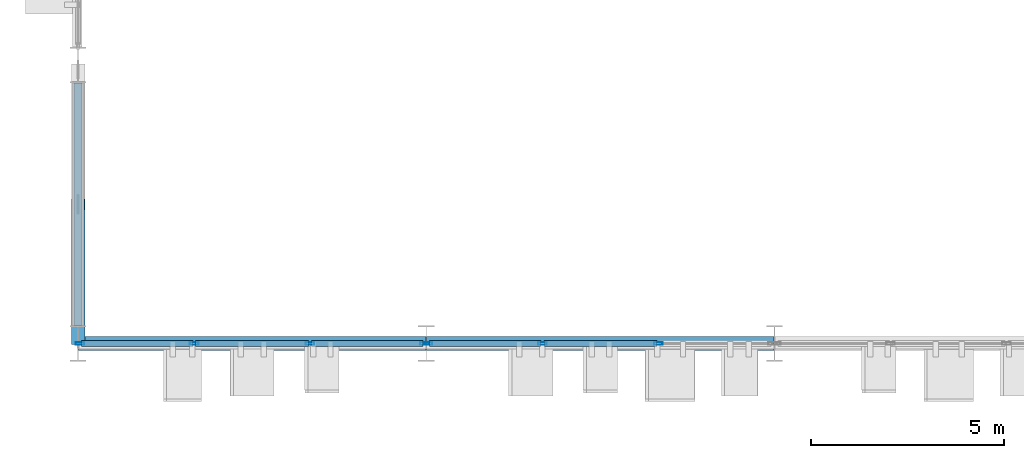
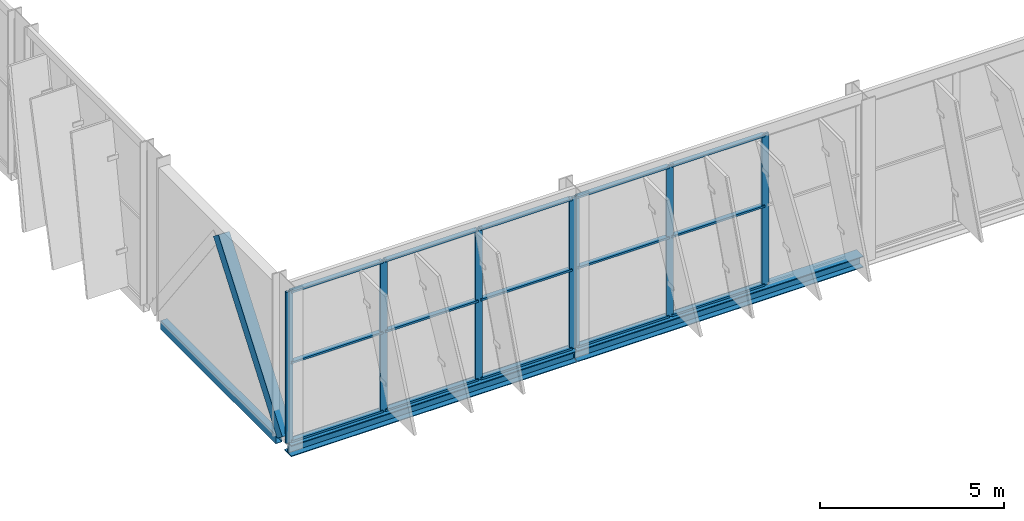
# One storey, part 16 of 189: 23 members, 3 beams, 2 elements without a shape of their own.
"""IFC4 building model written with IfcOpenShell, lengths in metres."""

from ifc_helpers import new_model, si_unit, direction, frame, origin, origin_2d, place, context, subcontext, project, spatial, hollow_rectangle, i_section, extrude, material, layer, layer_set, material_profile, profile_set, type_object, element, aggregate, save


model = new_model("IFC4")

# Units and contexts
model_context = context("Model", 3, precision=1e-05, world=origin(), true_north=direction((0.0, 1.0)))
body_context = subcontext(model_context, "Body", "Model", "MODEL_VIEW")
ifc_project = project(units=[si_unit("LENGTHUNIT", "METRE"), si_unit("AREAUNIT", "SQUARE_METRE"), si_unit("VOLUMEUNIT", "CUBIC_METRE"), si_unit("PLANEANGLEUNIT", "RADIAN"), si_unit("MASSUNIT", "GRAM", prefix="KILO")], contexts=[model_context])

# Site, building, storey
site_placement = place(None, origin())
site = spatial("IfcSite", under=ifc_project, at=site_placement, CompositionType="ELEMENT")
building_placement = place(site_placement, origin())
building = spatial("IfcBuilding", under=site, at=building_placement, Name="Celestram Park Convention Centre", CompositionType="ELEMENT")
storey_placement = place(building_placement, frame((0.0, 0.0, 5.39990234375)))
storey = spatial("IfcBuildingStorey", under=building, at=storey_placement, Name="L01", CompositionType="ELEMENT", Elevation=5.39990234375)

# Curtain wall, members
ifc_material_1 = material(Name="Anodised Aluminium Alloy 6063-T6", Category="aluminium")
ifc_layer = layer(ifc_material_1, 0.179931640625)
ifc_layer_set = layer_set([ifc_layer], Name="Anodised Aluminium Alloy 6063-T6")
curtain_wall_type = type_object("IfcCurtainWallType", Name="ARC-CW-898X503", PredefinedType="NOTDEFINED", material=ifc_layer_set)
curtain_wall_1_placement = place(storey_placement, origin())
curtain_wall_1 = element("IfcCurtainWall", 1, at=curtain_wall_1_placement, inside=storey, type_object=curtain_wall_type, Name="Unitised curtain wall CU-L01-125", PredefinedType="NOTDEFINED")
ifc_material_profile_1 = material_profile(ifc_material_1, hollow_rectangle(XDim=0.074951171875, YDim=0.219970703125, WallThickness=0.00390625, at=origin_2d()), Name="ALU75X220X4")
ifc_profile_set_1 = profile_set([ifc_material_profile_1], Name="Anodised Aluminium Alloy 6063-T6")
member_type_1 = type_object("IfcMemberType", Name="ARC-CWM-180", PredefinedType="MULLION", material=ifc_profile_set_1)
member_1_placement = place(storey_placement, frame((14.99658203125, 21.60009765625, 0.0), z_axis=(0.0, 0.0, 1.0), x_axis=(0.0, -1.0, 0.0)))
member_1 = element("IfcMember", 2, at=member_1_placement, type_object=member_type_1, Name="CW-89X50 mullion 2", PredefinedType="MULLION", context=body_context, shape_type="SweptSolid", body=[
    extrude(hollow_rectangle(XDim=0.074951171875, YDim=0.219970703125, WallThickness=0.00390625, at=origin_2d()), origin(), (0.0, 0.0, 1.0), 5.027099609375),
])
member_2_placement = place(storey_placement, frame((12.00341796875, 21.60009765625, 0.0), z_axis=(0.0, 0.0, 1.0), x_axis=(0.0, -1.0, 0.0)))
member_2 = element("IfcMember", 3, at=member_2_placement, type_object=member_type_1, Name="CW-89X50 mullion 3", PredefinedType="MULLION", context=body_context, shape_type="SweptSolid", body=[
    extrude(hollow_rectangle(XDim=0.074951171875, YDim=0.219970703125, WallThickness=0.00390625, at=origin_2d()), origin(), (0.0, 0.0, 1.0), 5.027099609375),
])
member_3_placement = place(storey_placement, frame((9.047607421875, 21.60009765625, 0.0), z_axis=(0.0, 0.0, 1.0), x_axis=(0.0, -1.0, 0.0)))
member_3 = element("IfcMember", 4, at=member_3_placement, type_object=member_type_1, Name="CW-89X50 mullion 4", PredefinedType="MULLION", context=body_context, shape_type="SweptSolid", body=[
    extrude(hollow_rectangle(XDim=0.074951171875, YDim=0.219970703125, WallThickness=0.00390625, at=origin_2d()), origin(), (0.0, 0.0, 1.0), 5.027099609375),
])

curtain_wall_2_placement = place(storey_placement, origin())
curtain_wall_2 = element("IfcCurtainWall", 5, at=curtain_wall_2_placement, inside=storey, type_object=curtain_wall_type, Name="Unitised curtain wall CU-L01-126", PredefinedType="NOTDEFINED")
member_4_placement = place(storey_placement, frame((8.952392578125, 21.60009765625, 0.0), z_axis=(0.0, 0.0, 1.0), x_axis=(0.0, -1.0, 0.0)))
member_4 = element("IfcMember", 6, at=member_4_placement, type_object=member_type_1, Name="CW-89X50 mullion 1", PredefinedType="MULLION", context=body_context, shape_type="SweptSolid", body=[
    extrude(hollow_rectangle(XDim=0.074951171875, YDim=0.219970703125, WallThickness=0.00390625, at=origin_2d()), origin(), (0.0, 0.0, 1.0), 5.027099609375),
])
member_5_placement = place(storey_placement, frame((5.99658203125, 21.60009765625, 0.0), z_axis=(0.0, 0.0, 1.0), x_axis=(0.0, -1.0, 0.0)))
member_5 = element("IfcMember", 7, at=member_5_placement, type_object=member_type_1, Name="CW-89X50 mullion 2", PredefinedType="MULLION", context=body_context, shape_type="SweptSolid", body=[
    extrude(hollow_rectangle(XDim=0.074951171875, YDim=0.219970703125, WallThickness=0.00390625, at=origin_2d()), origin(), (0.0, 0.0, 1.0), 5.027099609375),
])
member_6_placement = place(storey_placement, frame((3.00341796875, 21.60009765625, 0.0), z_axis=(0.0, 0.0, 1.0), x_axis=(0.0, -1.0, 0.0)))
member_6 = element("IfcMember", 8, at=member_6_placement, type_object=member_type_1, Name="CW-89X50 mullion 3", PredefinedType="MULLION", context=body_context, shape_type="SweptSolid", body=[
    extrude(hollow_rectangle(XDim=0.074951171875, YDim=0.219970703125, WallThickness=0.00390625, at=origin_2d()), origin(), (0.0, 0.0, 1.0), 5.027099609375),
])
member_7_placement = place(storey_placement, frame((0.047607421875, 21.60009765625, 0.0), z_axis=(0.0, 0.0, 1.0), x_axis=(0.0, -1.0, 0.0)))
member_7 = element("IfcMember", 9, at=member_7_placement, type_object=member_type_1, Name="CW-89X50 mullion 4", PredefinedType="MULLION", context=body_context, shape_type="SweptSolid", body=[
    extrude(hollow_rectangle(XDim=0.074951171875, YDim=0.219970703125, WallThickness=0.00390625, at=origin_2d()), origin(), (0.0, 0.0, 1.0), 5.027099609375),
])

# Member
ifc_material_profile_2 = material_profile(ifc_material_1, hollow_rectangle(XDim=0.14990234375, YDim=0.06494140625, WallThickness=0.0029296875, at=origin_2d()), Name="ALU150X65X3")
ifc_profile_set_2 = profile_set([ifc_material_profile_2], Name="Anodised Aluminium Alloy 6063-T6")
member_type_2 = type_object("IfcMemberType", Name="ARC-CWT-150", PredefinedType="USERDEFINED", material=ifc_profile_set_2)
member_8_placement = place(storey_placement, frame((14.959228515625, 21.60009765625, 0.03271484375), z_axis=(-1.0, 0.0, 0.0), x_axis=(0.0, -1.0, 0.0)))
member_8 = element("IfcMember", 10, at=member_8_placement, type_object=member_type_2, Name="CW-89X50 transom 2.1", ObjectType="TRANSOM", PredefinedType="USERDEFINED", context=body_context, shape_type="SweptSolid", body=[
    extrude(hollow_rectangle(XDim=0.14990234375, YDim=0.06494140625, WallThickness=0.0029296875, at=origin_2d()), origin(), (0.0, 0.0, 1.0), 2.91845703125),
])

member_9_placement = place(storey_placement, frame((14.959228515625, 21.60009765625, 2.650146484375), z_axis=(-1.0, 0.0, 0.0), x_axis=(0.0, -1.0, 0.0)))
member_9 = element("IfcMember", 11, at=member_9_placement, type_object=member_type_2, Name="CW-89X50 transom 2.2", ObjectType="TRANSOM", PredefinedType="USERDEFINED", context=body_context, shape_type="SweptSolid", body=[
    extrude(hollow_rectangle(XDim=0.14990234375, YDim=0.06494140625, WallThickness=0.0029296875, at=origin_2d()), origin(), (0.0, 0.0, 1.0), 2.91845703125),
])

member_10_placement = place(storey_placement, frame((14.959228515625, 21.60009765625, 4.99462890625), z_axis=(-1.0, 0.0, 0.0), x_axis=(0.0, -1.0, 0.0)))
member_10 = element("IfcMember", 12, at=member_10_placement, type_object=member_type_2, Name="CW-89X50 transom 2.3", ObjectType="TRANSOM", PredefinedType="USERDEFINED", context=body_context, shape_type="SweptSolid", body=[
    extrude(hollow_rectangle(XDim=0.14990234375, YDim=0.06494140625, WallThickness=0.0029296875, at=origin_2d()), origin(), (0.0, 0.0, 1.0), 2.91845703125),
])

member_11_placement = place(storey_placement, frame((11.9658203125, 21.60009765625, 0.03271484375), z_axis=(-1.0, 0.0, 0.0), x_axis=(0.0, -1.0, 0.0)))
member_11 = element("IfcMember", 13, at=member_11_placement, type_object=member_type_2, Name="CW-89X50 transom 3.1", ObjectType="TRANSOM", PredefinedType="USERDEFINED", context=body_context, shape_type="SweptSolid", body=[
    extrude(hollow_rectangle(XDim=0.14990234375, YDim=0.06494140625, WallThickness=0.0029296875, at=origin_2d()), origin(), (0.0, 0.0, 1.0), 2.880859375),
])

member_12_placement = place(storey_placement, frame((11.9658203125, 21.60009765625, 2.650146484375), z_axis=(-1.0, 0.0, 0.0), x_axis=(0.0, -1.0, 0.0)))
member_12 = element("IfcMember", 14, at=member_12_placement, type_object=member_type_2, Name="CW-89X50 transom 3.2", ObjectType="TRANSOM", PredefinedType="USERDEFINED", context=body_context, shape_type="SweptSolid", body=[
    extrude(hollow_rectangle(XDim=0.14990234375, YDim=0.06494140625, WallThickness=0.0029296875, at=origin_2d()), origin(), (0.0, 0.0, 1.0), 2.880859375),
])

member_13_placement = place(storey_placement, frame((11.9658203125, 21.60009765625, 4.99462890625), z_axis=(-1.0, 0.0, 0.0), x_axis=(0.0, -1.0, 0.0)))
member_13 = element("IfcMember", 15, at=member_13_placement, type_object=member_type_2, Name="CW-89X50 transom 3.3", ObjectType="TRANSOM", PredefinedType="USERDEFINED", context=body_context, shape_type="SweptSolid", body=[
    extrude(hollow_rectangle(XDim=0.14990234375, YDim=0.06494140625, WallThickness=0.0029296875, at=origin_2d()), origin(), (0.0, 0.0, 1.0), 2.880859375),
])

aggregate(curtain_wall_1, [member_1, member_2, member_3, member_8, member_9, member_10, member_11, member_12, member_13])

member_14_placement = place(storey_placement, frame((8.9150390625, 21.60009765625, 0.03271484375), z_axis=(-1.0, 0.0, 0.0), x_axis=(0.0, -1.0, 0.0)))
member_14 = element("IfcMember", 16, at=member_14_placement, type_object=member_type_2, Name="CW-89X50 transom 1.1", ObjectType="TRANSOM", PredefinedType="USERDEFINED", context=body_context, shape_type="SweptSolid", body=[
    extrude(hollow_rectangle(XDim=0.14990234375, YDim=0.06494140625, WallThickness=0.0029296875, at=origin_2d()), origin(), (0.0, 0.0, 1.0), 2.880859375),
])

member_15_placement = place(storey_placement, frame((8.9150390625, 21.60009765625, 2.650146484375), z_axis=(-1.0, 0.0, 0.0), x_axis=(0.0, -1.0, 0.0)))
member_15 = element("IfcMember", 17, at=member_15_placement, type_object=member_type_2, Name="CW-89X50 transom 1.2", ObjectType="TRANSOM", PredefinedType="USERDEFINED", context=body_context, shape_type="SweptSolid", body=[
    extrude(hollow_rectangle(XDim=0.14990234375, YDim=0.06494140625, WallThickness=0.0029296875, at=origin_2d()), origin(), (0.0, 0.0, 1.0), 2.880859375),
])

member_16_placement = place(storey_placement, frame((8.9150390625, 21.60009765625, 4.99462890625), z_axis=(-1.0, 0.0, 0.0), x_axis=(0.0, -1.0, 0.0)))
member_16 = element("IfcMember", 18, at=member_16_placement, type_object=member_type_2, Name="CW-89X50 transom 1.3", ObjectType="TRANSOM", PredefinedType="USERDEFINED", context=body_context, shape_type="SweptSolid", body=[
    extrude(hollow_rectangle(XDim=0.14990234375, YDim=0.06494140625, WallThickness=0.0029296875, at=origin_2d()), origin(), (0.0, 0.0, 1.0), 2.880859375),
])

member_17_placement = place(storey_placement, frame((5.959228515625, 21.60009765625, 0.03271484375), z_axis=(-1.0, 0.0, 0.0), x_axis=(0.0, -1.0, 0.0)))
member_17 = element("IfcMember", 19, at=member_17_placement, type_object=member_type_2, Name="CW-89X50 transom 2.1", ObjectType="TRANSOM", PredefinedType="USERDEFINED", context=body_context, shape_type="SweptSolid", body=[
    extrude(hollow_rectangle(XDim=0.14990234375, YDim=0.06494140625, WallThickness=0.0029296875, at=origin_2d()), origin(), (0.0, 0.0, 1.0), 2.91845703125),
])

member_18_placement = place(storey_placement, frame((5.959228515625, 21.60009765625, 2.650146484375), z_axis=(-1.0, 0.0, 0.0), x_axis=(0.0, -1.0, 0.0)))
member_18 = element("IfcMember", 20, at=member_18_placement, type_object=member_type_2, Name="CW-89X50 transom 2.2", ObjectType="TRANSOM", PredefinedType="USERDEFINED", context=body_context, shape_type="SweptSolid", body=[
    extrude(hollow_rectangle(XDim=0.14990234375, YDim=0.06494140625, WallThickness=0.0029296875, at=origin_2d()), origin(), (0.0, 0.0, 1.0), 2.91845703125),
])

member_19_placement = place(storey_placement, frame((5.959228515625, 21.60009765625, 4.99462890625), z_axis=(-1.0, 0.0, 0.0), x_axis=(0.0, -1.0, 0.0)))
member_19 = element("IfcMember", 21, at=member_19_placement, type_object=member_type_2, Name="CW-89X50 transom 2.3", ObjectType="TRANSOM", PredefinedType="USERDEFINED", context=body_context, shape_type="SweptSolid", body=[
    extrude(hollow_rectangle(XDim=0.14990234375, YDim=0.06494140625, WallThickness=0.0029296875, at=origin_2d()), origin(), (0.0, 0.0, 1.0), 2.91845703125),
])

member_20_placement = place(storey_placement, frame((2.9658203125, 21.60009765625, 0.03271484375), z_axis=(-1.0, 0.0, 0.0), x_axis=(0.0, -1.0, 0.0)))
member_20 = element("IfcMember", 22, at=member_20_placement, type_object=member_type_2, Name="CW-89X50 transom 3.1", ObjectType="TRANSOM", PredefinedType="USERDEFINED", context=body_context, shape_type="SweptSolid", body=[
    extrude(hollow_rectangle(XDim=0.14990234375, YDim=0.06494140625, WallThickness=0.0029296875, at=origin_2d()), origin(), (0.0, 0.0, 1.0), 2.880859375),
])

member_21_placement = place(storey_placement, frame((2.9658203125, 21.60009765625, 2.650146484375), z_axis=(-1.0, 0.0, 0.0), x_axis=(0.0, -1.0, 0.0)))
member_21 = element("IfcMember", 23, at=member_21_placement, type_object=member_type_2, Name="CW-89X50 transom 3.2", ObjectType="TRANSOM", PredefinedType="USERDEFINED", context=body_context, shape_type="SweptSolid", body=[
    extrude(hollow_rectangle(XDim=0.14990234375, YDim=0.06494140625, WallThickness=0.0029296875, at=origin_2d()), origin(), (0.0, 0.0, 1.0), 2.880859375),
])

member_22_placement = place(storey_placement, frame((2.9658203125, 21.60009765625, 4.99462890625), z_axis=(-1.0, 0.0, 0.0), x_axis=(0.0, -1.0, 0.0)))
member_22 = element("IfcMember", 24, at=member_22_placement, type_object=member_type_2, Name="CW-89X50 transom 3.3", ObjectType="TRANSOM", PredefinedType="USERDEFINED", context=body_context, shape_type="SweptSolid", body=[
    extrude(hollow_rectangle(XDim=0.14990234375, YDim=0.06494140625, WallThickness=0.0029296875, at=origin_2d()), origin(), (0.0, 0.0, 1.0), 2.880859375),
])

aggregate(curtain_wall_2, [member_4, member_5, member_6, member_7, member_14, member_15, member_16, member_17, member_18, member_19, member_20, member_21, member_22])

ifc_material_2 = material(Name="Steel ASTM A500 Grade C", Category="steel")
ifc_material_profile_3 = material_profile(ifc_material_2, hollow_rectangle(XDim=0.35009765625, YDim=0.35009765625, WallThickness=0.01611328125, at=origin_2d()), Name="HSS350X350X16")
ifc_profile_set_3 = profile_set([ifc_material_profile_3], Name="Steel ASTM A500 Grade C")
member_type_3 = type_object("IfcMemberType", Name="STR-BRC-HSS350", PredefinedType="BRACE", material=ifc_profile_set_3)
member_23_placement = place(storey_placement, frame((0.0, 21.719970703125, 0.150146484375), z_axis=(0.0, 0.60333355325, 0.797488948841), x_axis=(-1.0, 0.0, 0.0)))
element("IfcMember", 25, at=member_23_placement, inside=storey, type_object=member_type_3, Name="Chevron braced-frame diagonal BF-L01-003", PredefinedType="BRACE", context=body_context, shape_type="SweptSolid", body=[
    extrude(hollow_rectangle(XDim=0.35009765625, YDim=0.35009765625, WallThickness=0.01611328125, at=origin_2d()), origin(), (0.0, 0.0, 1.0), 5.767822265625),
])

# Beams
ifc_material_profile_4 = material_profile(ifc_material_2, hollow_rectangle(XDim=0.199951171875, YDim=0.300048828125, WallThickness=0.011962890625, at=origin_2d()), Name="HSS300X200X12")
ifc_profile_set_4 = profile_set([ifc_material_profile_4], Name="Steel ASTM A500 Grade C")
beam_type_1 = type_object("IfcBeamType", Name="STR-SPN-HSS300X200", PredefinedType="SPANDREL", material=ifc_profile_set_4)
beam_placement = place(storey_placement, frame((0.0, 22.06396484375, -0.14990234375), z_axis=(0.0, 1.0, 0.0), x_axis=(-1.0, 0.0, 0.0)))
element("IfcBeam", 26, at=beam_placement, inside=storey, type_object=beam_type_1, Name="High-bay perimeter spandrel SPB-L01-001", PredefinedType="SPANDREL", context=body_context, shape_type="SweptSolid", body=[
    extrude(hollow_rectangle(XDim=0.199951171875, YDim=0.300048828125, WallThickness=0.011962890625, at=origin_2d()), origin(), (0.0, 0.0, 1.0), 6.27197265625),
])
ifc_material_3 = material(Name="Steel ASTM A992 Grade 50", Category="steel")
ifc_material_profile_5 = material_profile(ifc_material_3, i_section(OverallWidth=0.373046875, OverallDepth=0.373046875, WebThickness=0.016357421875, FlangeThickness=0.026123046875, at=origin_2d()), Name="W14X132")
ifc_profile_set_5 = profile_set([ifc_material_profile_5], Name="Steel ASTM A992 Grade 50")
beam_type_2 = type_object("IfcBeamType", Name="STR-SPN-W14X132", PredefinedType="SPANDREL", material=ifc_profile_set_5)
for number, where, z_axis, x_axis, name in (
    (27, (0.010009765625, 21.60009765625, -0.1865234375), (1.0, 0.0, 0.0), (0.0, 1.0, 0.0), "High-bay perimeter spandrel SPB-L01-013"),
    (28, (9.010009765625, 21.60009765625, -0.1865234375), (1.0, 0.0, 0.0), (0.0, 1.0, 0.0), "High-bay perimeter spandrel SPB-L01-014"),
):
    element("IfcBeam", number, at=place(storey_placement, frame(where, z_axis=z_axis, x_axis=x_axis)), inside=storey, type_object=beam_type_2, Name=name, PredefinedType="SPANDREL", context=body_context, shape_type="SweptSolid", body=[
        extrude(i_section(OverallWidth=0.373046875, OverallDepth=0.373046875, WebThickness=0.016357421875, FlangeThickness=0.026123046875, at=origin_2d()), origin(), (0.0, 0.0, 1.0), 8.97998046875),
    ])

save(model, "model.ifc")
